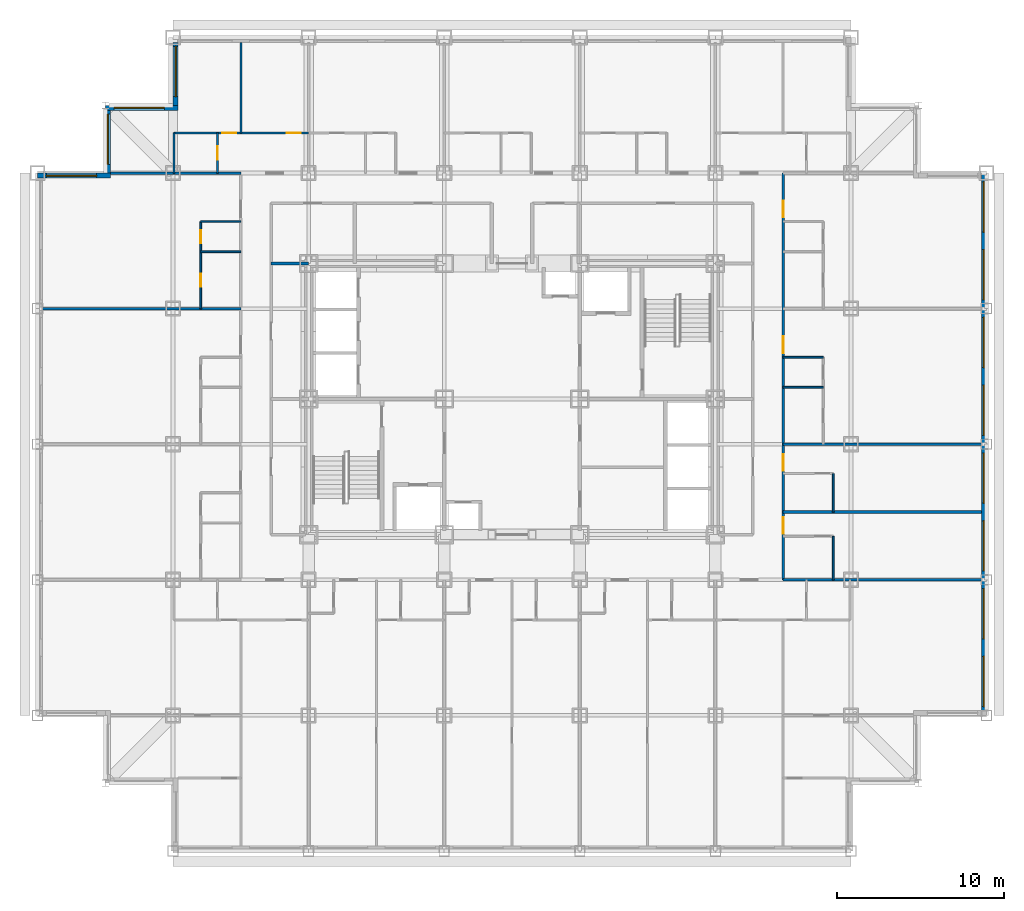
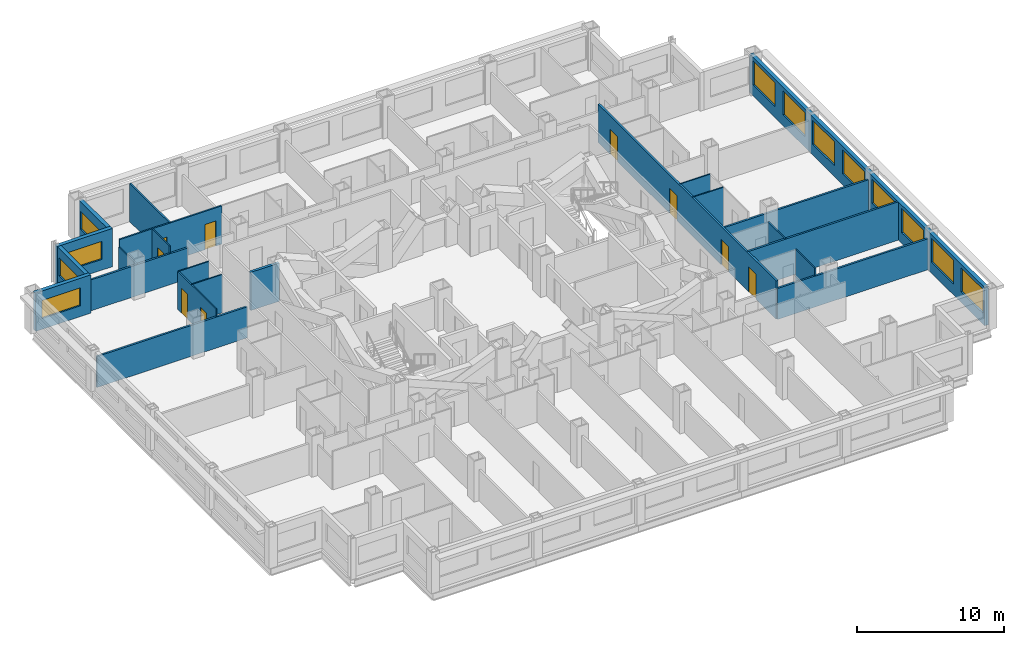
# One storey, part 8 of 12: 23 walls, 12 windows, 9 doors, 21 openings.
"""IFC4 building model written with IfcOpenShell, lengths in metres."""

from ifc_helpers import new_model, si_unit, direction, frame, frame_2d, origin, place, context, subcontext, project, spatial, rectangle, extrude, material, layer, layer_set, type_object, element, fill, save


model = new_model("IFC4")

# Units and contexts
model_context = context("Model", 3, precision=1e-05, world=origin(), true_north=direction((0.0, 1.0)))
body_context = subcontext(model_context, "Body", "Model", "MODEL_VIEW")
ifc_project = project(units=[si_unit("LENGTHUNIT", "METRE"), si_unit("AREAUNIT", "SQUARE_METRE"), si_unit("VOLUMEUNIT", "CUBIC_METRE"), si_unit("PLANEANGLEUNIT", "RADIAN"), si_unit("MASSUNIT", "GRAM", prefix="KILO")], contexts=[model_context])

# Site, building, storey
site_placement = place(None, origin())
site = spatial("IfcSite", under=ifc_project, at=site_placement, CompositionType="ELEMENT")
building_placement = place(site_placement, origin())
building = spatial("IfcBuilding", under=site, at=building_placement, Name="Kopane Lantern Tower", CompositionType="ELEMENT")
storey_placement = place(building_placement, frame((0.0, 0.0, 106.800048828125)))
storey = spatial("IfcBuildingStorey", under=building, at=storey_placement, Name="L26", CompositionType="ELEMENT", Elevation=106.800048828125)

# Wall, openings, doors
ifc_material_1 = material(Name="Gypsum board on steel studs", Category="steel")
ifc_layer_1 = layer(ifc_material_1, 0.1201171875)
ifc_layer_set_1 = layer_set([ifc_layer_1], Name="APARTMENT INTERNAL WALL 120")
wall_type_1 = type_object("IfcWallType", Name="APARTMENT INTERNAL WALL 120", PredefinedType="PARTITIONING", material=ifc_layer_set_1)
wall_1_placement = place(storey_placement, frame((8.14990234375, 48.300048828125, 0.0), z_axis=(0.0, 0.0, 1.0), x_axis=(1.0, 0.0, 0.0)))
wall_1 = element("IfcWall", 1, at=wall_1_placement, inside=storey, type_object=wall_type_1, Name="Apartment Internal Wall 120 L26", PredefinedType="PARTITIONING", context=body_context, shape_type="SweptSolid", body=[
    extrude(rectangle(XDim=8.050048828125, YDim=0.1201171875, at=frame_2d((4.02490234375, 0.0))), origin(), (0.0, 0.0, 1.0), 3.18994140625),
])
opening_1_placement = place(wall_1_placement, frame((6.72509765625, 0.0, 0.0)))
opening_1 = element("IfcOpeningElement", 2, at=opening_1_placement, cuts=wall_1, Name="Opening L26-064", PredefinedType="OPENING", context=body_context, shape_type="SweptSolid", body=[
    extrude(rectangle(XDim=0.85009765625, YDim=2.10009765625, at=frame_2d((0.425048828125, 1.050048828125))), frame((0.0, 0.070068359375, 0.0), z_axis=(0.0, -1.0, 0.0), x_axis=(1.0, 0.0, 0.0)), (0.0, 0.0, 1.0), 0.14013671875),
])
opening_2_placement = place(wall_1_placement, frame((2.875, 0.0, 0.0)))
opening_2 = element("IfcOpeningElement", 3, at=opening_2_placement, cuts=wall_1, Name="Opening L26-066", PredefinedType="OPENING", context=body_context, shape_type="SweptSolid", body=[
    extrude(rectangle(XDim=0.85009765625, YDim=2.10009765625, at=frame_2d((0.425048828125, 1.050048828125))), frame((0.0, 0.070068359375, 0.0), z_axis=(0.0, -1.0, 0.0), x_axis=(1.0, 0.0, 0.0)), (0.0, 0.0, 1.0), 0.14013671875),
])
ifc_material_2 = material(Name="Timber door set", Category="wood")
door_type_1 = type_object("IfcDoorType", Name="DOOR D4 850x2100", OperationType="SINGLE_SWING_LEFT", PredefinedType="DOOR", material=ifc_material_2)
door_1_placement = place(opening_1_placement, origin())
door_1 = element("IfcDoor", 4, at=door_1_placement, inside=storey, type_object=door_type_1, Name="Door L26-064", OperationType="SINGLE_SWING_LEFT", OverallHeight=2.10009765625, OverallWidth=0.85009765625, PredefinedType="DOOR", context=body_context, shape_type="SweptSolid", body=[
    extrude(rectangle(XDim=0.85009765625, YDim=2.10009765625, at=frame_2d((0.425048828125, 1.050048828125))), frame((0.0, 0.02490234375, 0.0), z_axis=(0.0, -1.0, 0.0), x_axis=(1.0, 0.0, 0.0)), (0.0, 0.0, 1.0), 0.050048828125),
])
fill(opening_1, door_1)
door_2_placement = place(opening_2_placement, origin())
door_2 = element("IfcDoor", 5, at=door_2_placement, inside=storey, type_object=door_type_1, Name="Door L26-066", OperationType="SINGLE_SWING_RIGHT", OverallHeight=2.10009765625, OverallWidth=0.85009765625, PredefinedType="DOOR", context=body_context, shape_type="SweptSolid", body=[
    extrude(rectangle(XDim=0.85009765625, YDim=2.10009765625, at=frame_2d((0.425048828125, 1.050048828125))), frame((0.0, 0.02490234375, 0.0), z_axis=(0.0, -1.0, 0.0), x_axis=(1.0, 0.0, 0.0)), (0.0, 0.0, 1.0), 0.050048828125),
])
fill(opening_2, door_2)

# Wall
wall_2_placement = place(storey_placement, frame((12.14990234375, 48.300048828125, 0.0), z_axis=(0.0, 0.0, 1.0), x_axis=(0.0, 1.0, 0.0)))
element("IfcWall", 6, at=wall_2_placement, inside=storey, type_object=wall_type_1, Name="Apartment Internal Wall 120 L26", PredefinedType="PARTITIONING", context=body_context, shape_type="SweptSolid", body=[
    extrude(rectangle(XDim=5.39990234375, YDim=0.1201171875, at=frame_2d((2.699951171875, 0.0))), origin(), (0.0, 0.0, 1.0), 3.18994140625),
])

# Wall, openings, doors
ifc_material_3 = material(Name="Moisture-resistant board on steel studs", Category="steel")
ifc_layer_2 = layer(ifc_material_3, 0.10009765625)
ifc_layer_set_2 = layer_set([ifc_layer_2], Name="BATHROOM WALL 100")
wall_type_2 = type_object("IfcWallType", Name="BATHROOM WALL 100", PredefinedType="PARTITIONING", material=ifc_layer_set_2)
wall_3_placement = place(storey_placement, frame((9.75, 37.800048828125, 0.0), z_axis=(0.0, 0.0, 1.0), x_axis=(0.0, 1.0, 0.0)))
wall_3 = element("IfcWall", 7, at=wall_3_placement, inside=storey, type_object=wall_type_2, Name="Bathroom Wall 100 L26", PredefinedType="PARTITIONING", context=body_context, shape_type="SweptSolid", body=[
    extrude(rectangle(XDim=5.199951171875, YDim=0.10009765625, at=frame_2d((2.60009765625, 0.0))), origin(), (0.0, 0.0, 1.0), 3.18994140625),
])
opening_3_placement = place(wall_3_placement, frame((1.300048828125, 0.0, 0.0)))
opening_3 = element("IfcOpeningElement", 8, at=opening_3_placement, cuts=wall_3, Name="Opening L26-036", PredefinedType="OPENING", context=body_context, shape_type="SweptSolid", body=[
    extrude(rectangle(XDim=0.800048828125, YDim=2.10009765625, at=frame_2d((0.39990234375, 1.050048828125))), frame((0.0, 0.06005859375, 0.0), z_axis=(0.0, -1.0, 0.0), x_axis=(1.0, 0.0, 0.0)), (0.0, 0.0, 1.0), 0.1201171875),
])
opening_4_placement = place(wall_3_placement, frame((3.89990234375, 0.0, 0.0)))
opening_4 = element("IfcOpeningElement", 9, at=opening_4_placement, cuts=wall_3, Name="Opening L26-037", PredefinedType="OPENING", context=body_context, shape_type="SweptSolid", body=[
    extrude(rectangle(XDim=0.800048828125, YDim=2.10009765625, at=frame_2d((0.39990234375, 1.050048828125))), frame((0.0, 0.06005859375, 0.0), z_axis=(0.0, -1.0, 0.0), x_axis=(1.0, 0.0, 0.0)), (0.0, 0.0, 1.0), 0.1201171875),
])
ifc_material_4 = material(Name="Timber door set", Category="wood")
door_type_2 = type_object("IfcDoorType", Name="DOOR D2 800x2100", OperationType="SINGLE_SWING_LEFT", PredefinedType="DOOR", material=ifc_material_4)
door_3_placement = place(opening_3_placement, origin())
door_3 = element("IfcDoor", 10, at=door_3_placement, inside=storey, type_object=door_type_2, Name="Door L26-036", OperationType="SINGLE_SWING_LEFT", OverallHeight=2.10009765625, OverallWidth=0.800048828125, PredefinedType="DOOR", context=body_context, shape_type="SweptSolid", body=[
    extrude(rectangle(XDim=0.800048828125, YDim=2.10009765625, at=frame_2d((0.39990234375, 1.050048828125))), frame((0.0, 0.02490234375, 0.0), z_axis=(0.0, -1.0, 0.0), x_axis=(1.0, 0.0, 0.0)), (0.0, 0.0, 1.0), 0.050048828125),
])
fill(opening_3, door_3)
door_4_placement = place(opening_4_placement, origin())
door_4 = element("IfcDoor", 11, at=door_4_placement, inside=storey, type_object=door_type_2, Name="Door L26-037", OperationType="SINGLE_SWING_LEFT", OverallHeight=2.10009765625, OverallWidth=0.800048828125, PredefinedType="DOOR", context=body_context, shape_type="SweptSolid", body=[
    extrude(rectangle(XDim=0.800048828125, YDim=2.10009765625, at=frame_2d((0.39990234375, 1.050048828125))), frame((0.0, 0.02490234375, 0.0), z_axis=(0.0, -1.0, 0.0), x_axis=(1.0, 0.0, 0.0)), (0.0, 0.0, 1.0), 0.050048828125),
])
fill(opening_4, door_4)

# Walls
for number, where, z_axis, x_axis, name in (
    (12, (12.14990234375, 41.199951171875, 0.0), (0.0, 0.0, 1.0), (-1.0, 0.0, 0.0), "Bathroom Wall 100 L26"),
    (13, (12.14990234375, 43.0, 0.0), (0.0, 0.0, 1.0), (-1.0, 0.0, 0.0), "Bathroom Wall 100 L26"),
):
    element("IfcWall", number, at=place(storey_placement, frame(where, z_axis=z_axis, x_axis=x_axis)), inside=storey, type_object=wall_type_2, Name=name, PredefinedType="PARTITIONING", context=body_context, shape_type="SweptSolid", body=[
        extrude(rectangle(XDim=2.39990234375, YDim=0.10009765625, at=frame_2d((1.199951171875, 0.0))), origin(), (0.0, 0.0, 1.0), 3.18994140625),
    ])
wall_4_placement = place(storey_placement, frame((47.550048828125, 21.60009765625, 0.0), z_axis=(0.0, 0.0, 1.0), x_axis=(0.0, 1.0, 0.0)))
element("IfcWall", 14, at=wall_4_placement, inside=storey, type_object=wall_type_2, Name="Bathroom Wall 100 L26", PredefinedType="PARTITIONING", context=body_context, shape_type="SweptSolid", body=[
    extrude(rectangle(XDim=2.599853515625, YDim=0.10009765625, at=frame_2d((1.2998046875, 0.0))), origin(), (0.0, 0.0, 1.0), 3.18994140625),
])
wall_5_placement = place(storey_placement, frame((47.550048828125, 25.64990234375, 0.0), z_axis=(0.0, 0.0, 1.0), x_axis=(0.0, 1.0, 0.0)))
element("IfcWall", 15, at=wall_5_placement, inside=storey, type_object=wall_type_2, Name="Bathroom Wall 100 L26", PredefinedType="PARTITIONING", context=body_context, shape_type="SweptSolid", body=[
    extrude(rectangle(XDim=2.300048828125, YDim=0.10009765625, at=frame_2d((1.14990234375, 0.0))), origin(), (0.0, 0.0, 1.0), 3.18994140625),
])
for number, where, z_axis, x_axis, name in (
    (16, (44.550048828125, 33.10009765625, 0.0), (0.0, 0.0, 1.0), (1.0, 0.0, 0.0), "Bathroom Wall 100 L26"),
    (17, (44.550048828125, 34.89990234375, 0.0), (0.0, 0.0, 1.0), (1.0, 0.0, 0.0), "Bathroom Wall 100 L26"),
):
    element("IfcWall", number, at=place(storey_placement, frame(where, z_axis=z_axis, x_axis=x_axis)), inside=storey, type_object=wall_type_2, Name=name, PredefinedType="PARTITIONING", context=body_context, shape_type="SweptSolid", body=[
        extrude(rectangle(XDim=2.39990234375, YDim=0.10009765625, at=frame_2d((1.199951171875, 0.0))), origin(), (0.0, 0.0, 1.0), 3.18994140625),
    ])

# Wall, opening, door
wall_6_placement = place(storey_placement, frame((10.75, 45.89990234375, 0.0), z_axis=(0.0, 0.0, 1.0), x_axis=(0.0, 1.0, 0.0)))
wall_6 = element("IfcWall", 18, at=wall_6_placement, inside=storey, type_object=wall_type_2, Name="Bathroom Wall 100 L26", PredefinedType="PARTITIONING", context=body_context, shape_type="SweptSolid", body=[
    extrude(rectangle(XDim=2.400146484375, YDim=0.10009765625, at=frame_2d((1.2001953125, 0.0))), origin(), (0.0, 0.0, 1.0), 3.18994140625),
])
opening_5_placement = place(wall_6_placement, frame((0.800048828125, 0.0, 0.0)))
opening_5 = element("IfcOpeningElement", 19, at=opening_5_placement, cuts=wall_6, Name="Opening L26-065", PredefinedType="OPENING", context=body_context, shape_type="SweptSolid", body=[
    extrude(rectangle(XDim=0.800048828125, YDim=2.10009765625, at=frame_2d((0.39990234375, 1.050048828125))), frame((0.0, 0.06005859375, 0.0), z_axis=(0.0, -1.0, 0.0), x_axis=(1.0, 0.0, 0.0)), (0.0, 0.0, 1.0), 0.1201171875),
])
door_5_placement = place(opening_5_placement, origin())
door_5 = element("IfcDoor", 20, at=door_5_placement, inside=storey, type_object=door_type_2, Name="Door L26-065", OperationType="SINGLE_SWING_LEFT", OverallHeight=2.10009765625, OverallWidth=0.800048828125, PredefinedType="DOOR", context=body_context, shape_type="SweptSolid", body=[
    extrude(rectangle(XDim=0.800048828125, YDim=2.10009765625, at=frame_2d((0.39990234375, 1.050048828125))), frame((0.0, 0.02490234375, 0.0), z_axis=(0.0, -1.0, 0.0), x_axis=(1.0, 0.0, 0.0)), (0.0, 0.0, 1.0), 0.050048828125),
])
fill(opening_5, door_5)

# Wall
wall_7_placement = place(storey_placement, frame((8.14990234375, 45.89990234375, 0.0), z_axis=(0.0, 0.0, 1.0), x_axis=(0.0, 1.0, 0.0)))
element("IfcWall", 21, at=wall_7_placement, inside=storey, type_object=wall_type_2, Name="Bathroom Wall 100 L26", PredefinedType="PARTITIONING", context=body_context, shape_type="SweptSolid", body=[
    extrude(rectangle(XDim=2.400146484375, YDim=0.10009765625, at=frame_2d((1.2001953125, 0.0))), origin(), (0.0, 0.0, 1.0), 2.57763671875),
])

# Wall, openings, doors
ifc_material_5 = material(Name="Gypsum board on steel studs", Category="steel")
ifc_layer_3 = layer(ifc_material_5, 0.14990234375)
ifc_layer_set_3 = layer_set([ifc_layer_3], Name="CORRIDOR WALL 150 EI 60")
wall_type_3 = type_object("IfcWallType", Name="CORRIDOR WALL 150 EI 60", PredefinedType="PARTITIONING", material=ifc_layer_set_3)
wall_8_placement = place(storey_placement, frame((44.550048828125, 21.60009765625, 0.0), z_axis=(0.0, 0.0, 1.0), x_axis=(0.0, 1.0, 0.0)))
wall_8 = element("IfcWall", 22, at=wall_8_placement, inside=storey, type_object=wall_type_3, Name="Corridor Wall 150 Ei 60 L26", PredefinedType="PARTITIONING", context=body_context, shape_type="SweptSolid", body=[
    extrude(rectangle(XDim=24.2998046875, YDim=0.14990234375, at=frame_2d((12.14990234375, 0.0))), origin(), (0.0, 0.0, 1.0), 3.18994140625),
])
opening_6_placement = place(wall_8_placement, frame((2.75, 0.0, 0.0)))
opening_6 = element("IfcOpeningElement", 23, at=opening_6_placement, cuts=wall_8, Name="Opening L26-040", PredefinedType="OPENING", context=body_context, shape_type="SweptSolid", body=[
    extrude(rectangle(XDim=1.0, YDim=2.10009765625, at=frame_2d((0.5, 1.050048828125))), frame((0.0, 0.0849609375, 0.0), z_axis=(0.0, -1.0, 0.0), x_axis=(1.0, 0.0, 0.0)), (0.0, 0.0, 1.0), 0.169921875),
])
opening_7_placement = place(wall_8_placement, frame((6.5, 0.0, 0.0)))
opening_7 = element("IfcOpeningElement", 24, at=opening_7_placement, cuts=wall_8, Name="Opening L26-042", PredefinedType="OPENING", context=body_context, shape_type="SweptSolid", body=[
    extrude(rectangle(XDim=1.0, YDim=2.10009765625, at=frame_2d((0.5, 1.050048828125))), frame((0.0, 0.0849609375, 0.0), z_axis=(0.0, -1.0, 0.0), x_axis=(1.0, 0.0, 0.0)), (0.0, 0.0, 1.0), 0.169921875),
])
opening_8_placement = place(wall_8_placement, frame((13.550048828125, 0.0, 0.0)))
opening_8 = element("IfcOpeningElement", 25, at=opening_8_placement, cuts=wall_8, Name="Opening L26-045", PredefinedType="OPENING", context=body_context, shape_type="SweptSolid", body=[
    extrude(rectangle(XDim=1.0, YDim=2.10009765625, at=frame_2d((0.5, 1.050048828125))), frame((0.0, 0.0849609375, 0.0), z_axis=(0.0, -1.0, 0.0), x_axis=(1.0, 0.0, 0.0)), (0.0, 0.0, 1.0), 0.169921875),
])
opening_9_placement = place(wall_8_placement, frame((21.64990234375, 0.0, 0.0)))
opening_9 = element("IfcOpeningElement", 26, at=opening_9_placement, cuts=wall_8, Name="Opening L26-048", PredefinedType="OPENING", context=body_context, shape_type="SweptSolid", body=[
    extrude(rectangle(XDim=1.0, YDim=2.10009765625, at=frame_2d((0.5, 1.050048828125))), frame((0.0, 0.0849609375, 0.0), z_axis=(0.0, -1.0, 0.0), x_axis=(1.0, 0.0, 0.0)), (0.0, 0.0, 1.0), 0.169921875),
])
ifc_material_6 = material(Name="Steel door set", Category="steel")
door_type_3 = type_object("IfcDoorType", Name="DOOR D1 1000x2100 FD30S", OperationType="SINGLE_SWING_LEFT", PredefinedType="DOOR", material=ifc_material_6)
door_6_placement = place(opening_6_placement, origin())
door_6 = element("IfcDoor", 27, at=door_6_placement, inside=storey, type_object=door_type_3, Name="Door L26-040", OperationType="SINGLE_SWING_RIGHT", OverallHeight=2.10009765625, OverallWidth=1.0, PredefinedType="DOOR", context=body_context, shape_type="SweptSolid", body=[
    extrude(rectangle(XDim=1.0, YDim=2.10009765625, at=frame_2d((0.5, 1.050048828125))), frame((0.0, 0.02490234375, 0.0), z_axis=(0.0, -1.0, 0.0), x_axis=(1.0, 0.0, 0.0)), (0.0, 0.0, 1.0), 0.050048828125),
])
fill(opening_6, door_6)
door_7_placement = place(opening_7_placement, origin())
door_7 = element("IfcDoor", 28, at=door_7_placement, inside=storey, type_object=door_type_3, Name="Door L26-042", OperationType="SINGLE_SWING_RIGHT", OverallHeight=2.10009765625, OverallWidth=1.0, PredefinedType="DOOR", context=body_context, shape_type="SweptSolid", body=[
    extrude(rectangle(XDim=1.0, YDim=2.10009765625, at=frame_2d((0.5, 1.050048828125))), frame((0.0, 0.02490234375, 0.0), z_axis=(0.0, -1.0, 0.0), x_axis=(1.0, 0.0, 0.0)), (0.0, 0.0, 1.0), 0.050048828125),
])
fill(opening_7, door_7)
door_8_placement = place(opening_8_placement, origin())
door_8 = element("IfcDoor", 29, at=door_8_placement, inside=storey, type_object=door_type_3, Name="Door L26-045", OperationType="SINGLE_SWING_RIGHT", OverallHeight=2.10009765625, OverallWidth=1.0, PredefinedType="DOOR", context=body_context, shape_type="SweptSolid", body=[
    extrude(rectangle(XDim=1.0, YDim=2.10009765625, at=frame_2d((0.5, 1.050048828125))), frame((0.0, 0.02490234375, 0.0), z_axis=(0.0, -1.0, 0.0), x_axis=(1.0, 0.0, 0.0)), (0.0, 0.0, 1.0), 0.050048828125),
])
fill(opening_8, door_8)
door_9_placement = place(opening_9_placement, origin())
door_9 = element("IfcDoor", 30, at=door_9_placement, inside=storey, type_object=door_type_3, Name="Door L26-048", OperationType="SINGLE_SWING_RIGHT", OverallHeight=2.10009765625, OverallWidth=1.0, PredefinedType="DOOR", context=body_context, shape_type="SweptSolid", body=[
    extrude(rectangle(XDim=1.0, YDim=2.10009765625, at=frame_2d((0.5, 1.050048828125))), frame((0.0, 0.02490234375, 0.0), z_axis=(0.0, -1.0, 0.0), x_axis=(1.0, 0.0, 0.0)), (0.0, 0.0, 1.0), 0.050048828125),
])
fill(opening_9, door_9)

# Walls
ifc_material_7 = material(Name="Gypsum board on steel studs", Category="steel")
ifc_layer_4 = layer(ifc_material_7, 0.14990234375)
ifc_layer_set_4 = layer_set([ifc_layer_4], Name="DEMISING WALL 150 EI 60")
wall_type_4 = type_object("IfcWallType", Name="DEMISING WALL 150 EI 60", PredefinedType="PARTITIONING", material=ifc_layer_set_4)
wall_9_placement = place(storey_placement, frame((12.14990234375, 37.800048828125, 0.0), z_axis=(0.0, 0.0, 1.0), x_axis=(-1.0, 0.0, 0.0)))
element("IfcWall", 31, at=wall_9_placement, inside=storey, type_object=wall_type_4, Name="Demising Wall 150 Ei 60 L26", PredefinedType="PARTITIONING", context=body_context, shape_type="SweptSolid", body=[
    extrude(rectangle(XDim=11.849853515625, YDim=0.14990234375, at=frame_2d((5.9248046875, 0.0))), origin(), (0.0, 0.0, 1.0), 2.57763671875),
])
wall_10_placement = place(storey_placement, frame((44.550048828125, 25.64990234375, 0.0), z_axis=(0.0, 0.0, 1.0), x_axis=(1.0, 0.0, 0.0)))
element("IfcWall", 32, at=wall_10_placement, inside=storey, type_object=wall_type_4, Name="Demising Wall 150 Ei 60 L26", PredefinedType="PARTITIONING", context=body_context, shape_type="SweptSolid", body=[
    extrude(rectangle(XDim=11.849853515625, YDim=0.14990234375, at=frame_2d((5.9248046875, 0.0))), origin(), (0.0, 0.0, 1.0), 3.18994140625),
])
for number, where, z_axis, x_axis, name in (
    (33, (44.550048828125, 29.699951171875, 0.0), (0.0, 0.0, 1.0), (1.0, 0.0, 0.0), "Demising Wall 150 Ei 60 L26"),
    (34, (44.550048828125, 21.60009765625, 0.0), (0.0, 0.0, 1.0), (1.0, 0.0, 0.0), "Demising Wall 150 Ei 60 L26"),
):
    element("IfcWall", number, at=place(storey_placement, frame(where, z_axis=z_axis, x_axis=x_axis)), inside=storey, type_object=wall_type_4, Name=name, PredefinedType="PARTITIONING", context=body_context, shape_type="SweptSolid", body=[
        extrude(rectangle(XDim=11.849853515625, YDim=0.14990234375, at=frame_2d((5.9248046875, 0.0))), origin(), (0.0, 0.0, 1.0), 2.57763671875),
    ])
wall_11_placement = place(storey_placement, frame((4.35009765625, 45.89990234375, 0.0), z_axis=(0.0, 0.0, 1.0), x_axis=(1.0, 0.0, 0.0)))
element("IfcWall", 35, at=wall_11_placement, inside=storey, type_object=wall_type_4, Name="Demising Wall 150 Ei 60 L26", PredefinedType="PARTITIONING", context=body_context, shape_type="SweptSolid", body=[
    extrude(rectangle(XDim=7.7998046875, YDim=0.14990234375, at=frame_2d((3.89990234375, 0.0))), origin(), (0.0, 0.0, 1.0), 2.57763671875),
])

# Wall, openings, windows
ifc_material_8 = material(Name="Terracotta rainscreen on light steel framing", Category="masonry")
ifc_layer_5 = layer(ifc_material_8, 0.300048828125)
ifc_layer_set_5 = layer_set([ifc_layer_5], Name="EXTERNAL WALL EW1 300 TERRACOTTA")
wall_type_5 = type_object("IfcWallType", Name="EXTERNAL WALL EW1 300 TERRACOTTA", PredefinedType="SOLIDWALL", material=ifc_layer_set_5)
wall_12_placement = place(storey_placement, frame((56.550048828125, 13.800048828125, 0.0), z_axis=(0.0, 0.0, 1.0), x_axis=(0.0, 1.0, 0.0)))
wall_12 = element("IfcWall", 36, at=wall_12_placement, inside=storey, type_object=wall_type_5, Name="External wall E L26", PredefinedType="SOLIDWALL", context=body_context, shape_type="SweptSolid", body=[
    extrude(rectangle(XDim=32.099853515625, YDim=0.300048828125, at=frame_2d((16.0498046875, 0.0))), origin(), (0.0, 0.0, 1.0), 3.18994140625),
])
opening_10_placement = place(wall_12_placement, frame((0.22509765625, 0.0, 0.89990234375)))
opening_10 = element("IfcOpeningElement", 37, at=opening_10_placement, cuts=wall_12, Name="Opening WR300200", PredefinedType="OPENING", context=body_context, shape_type="SweptSolid", body=[
    extrude(rectangle(XDim=3.0, YDim=2.0, at=frame_2d((1.5, 1.0))), frame((0.0, 0.159912109375, 0.0), z_axis=(0.0, -1.0, 0.0), x_axis=(1.0, 0.0, 0.0)), (0.0, 0.0, 1.0), 0.320068359375),
])
opening_11_placement = place(wall_12_placement, frame((4.27490234375, 0.0, 0.89990234375)))
opening_11 = element("IfcOpeningElement", 38, at=opening_11_placement, cuts=wall_12, Name="Opening WR300200", PredefinedType="OPENING", context=body_context, shape_type="SweptSolid", body=[
    extrude(rectangle(XDim=3.0, YDim=2.0, at=frame_2d((1.5, 1.0))), frame((0.0, 0.159912109375, 0.0), z_axis=(0.0, -1.0, 0.0), x_axis=(1.0, 0.0, 0.0)), (0.0, 0.0, 1.0), 0.320068359375),
])
opening_12_placement = place(wall_12_placement, frame((8.324951171875, 0.0, 0.89990234375)))
opening_12 = element("IfcOpeningElement", 39, at=opening_12_placement, cuts=wall_12, Name="Opening WR300200", PredefinedType="OPENING", context=body_context, shape_type="SweptSolid", body=[
    extrude(rectangle(XDim=3.0, YDim=2.0, at=frame_2d((1.5, 1.0))), frame((0.0, 0.159912109375, 0.0), z_axis=(0.0, -1.0, 0.0), x_axis=(1.0, 0.0, 0.0)), (0.0, 0.0, 1.0), 0.320068359375),
])
opening_13_placement = place(wall_12_placement, frame((12.375, 0.0, 0.89990234375)))
opening_13 = element("IfcOpeningElement", 40, at=opening_13_placement, cuts=wall_12, Name="Opening WR300200", PredefinedType="OPENING", context=body_context, shape_type="SweptSolid", body=[
    extrude(rectangle(XDim=3.0, YDim=2.0, at=frame_2d((1.5, 1.0))), frame((0.0, 0.159912109375, 0.0), z_axis=(0.0, -1.0, 0.0), x_axis=(1.0, 0.0, 0.0)), (0.0, 0.0, 1.0), 0.320068359375),
])
opening_14_placement = place(wall_12_placement, frame((16.425048828125, 0.0, 0.89990234375)))
opening_14 = element("IfcOpeningElement", 41, at=opening_14_placement, cuts=wall_12, Name="Opening WR300200", PredefinedType="OPENING", context=body_context, shape_type="SweptSolid", body=[
    extrude(rectangle(XDim=3.0, YDim=2.0, at=frame_2d((1.5, 1.0))), frame((0.0, 0.159912109375, 0.0), z_axis=(0.0, -1.0, 0.0), x_axis=(1.0, 0.0, 0.0)), (0.0, 0.0, 1.0), 0.320068359375),
])
opening_15_placement = place(wall_12_placement, frame((20.47509765625, 0.0, 0.89990234375)))
opening_15 = element("IfcOpeningElement", 42, at=opening_15_placement, cuts=wall_12, Name="Opening WR300200", PredefinedType="OPENING", context=body_context, shape_type="SweptSolid", body=[
    extrude(rectangle(XDim=3.0, YDim=2.0, at=frame_2d((1.5, 1.0))), frame((0.0, 0.159912109375, 0.0), z_axis=(0.0, -1.0, 0.0), x_axis=(1.0, 0.0, 0.0)), (0.0, 0.0, 1.0), 0.320068359375),
])
opening_16_placement = place(wall_12_placement, frame((24.52490234375, 0.0, 0.89990234375)))
opening_16 = element("IfcOpeningElement", 43, at=opening_16_placement, cuts=wall_12, Name="Opening WR300200", PredefinedType="OPENING", context=body_context, shape_type="SweptSolid", body=[
    extrude(rectangle(XDim=3.0, YDim=2.0, at=frame_2d((1.5, 1.0))), frame((0.0, 0.159912109375, 0.0), z_axis=(0.0, -1.0, 0.0), x_axis=(1.0, 0.0, 0.0)), (0.0, 0.0, 1.0), 0.320068359375),
])
opening_17_placement = place(wall_12_placement, frame((28.574951171875, 0.0, 0.89990234375)))
opening_17 = element("IfcOpeningElement", 44, at=opening_17_placement, cuts=wall_12, Name="Opening WR300200", PredefinedType="OPENING", context=body_context, shape_type="SweptSolid", body=[
    extrude(rectangle(XDim=3.0, YDim=2.0, at=frame_2d((1.5, 1.0))), frame((0.0, 0.159912109375, 0.0), z_axis=(0.0, -1.0, 0.0), x_axis=(1.0, 0.0, 0.0)), (0.0, 0.0, 1.0), 0.320068359375),
])
ifc_material_9 = material(Name="Aluminium and clear glass", Category="aluminium")
window_type_1 = type_object("IfcWindowType", Name="RIBBON WINDOW WR300200 3000x2000", PartitioningType="SINGLE_PANEL", PredefinedType="WINDOW", material=ifc_material_9)
window_1_placement = place(opening_10_placement, origin())
window_1 = element("IfcWindow", 45, at=window_1_placement, inside=storey, type_object=window_type_1, Name="Window E L26", OverallHeight=2.0, OverallWidth=3.0, PartitioningType="SINGLE_PANEL", PredefinedType="WINDOW", context=body_context, shape_type="SweptSolid", body=[
    extrude(rectangle(XDim=3.0, YDim=2.0, at=frame_2d((1.5, 1.0))), frame((0.0, 0.030029296875, 0.0), z_axis=(0.0, -1.0, 0.0), x_axis=(1.0, 0.0, 0.0)), (0.0, 0.0, 1.0), 0.06005859375),
])
fill(opening_10, window_1)
window_2_placement = place(opening_11_placement, origin())
window_2 = element("IfcWindow", 46, at=window_2_placement, inside=storey, type_object=window_type_1, Name="Window E L26", OverallHeight=2.0, OverallWidth=3.0, PartitioningType="SINGLE_PANEL", PredefinedType="WINDOW", context=body_context, shape_type="SweptSolid", body=[
    extrude(rectangle(XDim=3.0, YDim=2.0, at=frame_2d((1.5, 1.0))), frame((0.0, 0.030029296875, 0.0), z_axis=(0.0, -1.0, 0.0), x_axis=(1.0, 0.0, 0.0)), (0.0, 0.0, 1.0), 0.06005859375),
])
fill(opening_11, window_2)
window_3_placement = place(opening_12_placement, origin())
window_3 = element("IfcWindow", 47, at=window_3_placement, inside=storey, type_object=window_type_1, Name="Window E L26", OverallHeight=2.0, OverallWidth=3.0, PartitioningType="SINGLE_PANEL", PredefinedType="WINDOW", context=body_context, shape_type="SweptSolid", body=[
    extrude(rectangle(XDim=3.0, YDim=2.0, at=frame_2d((1.5, 1.0))), frame((0.0, 0.030029296875, 0.0), z_axis=(0.0, -1.0, 0.0), x_axis=(1.0, 0.0, 0.0)), (0.0, 0.0, 1.0), 0.06005859375),
])
fill(opening_12, window_3)
window_4_placement = place(opening_13_placement, origin())
window_4 = element("IfcWindow", 48, at=window_4_placement, inside=storey, type_object=window_type_1, Name="Window E L26", OverallHeight=2.0, OverallWidth=3.0, PartitioningType="SINGLE_PANEL", PredefinedType="WINDOW", context=body_context, shape_type="SweptSolid", body=[
    extrude(rectangle(XDim=3.0, YDim=2.0, at=frame_2d((1.5, 1.0))), frame((0.0, 0.030029296875, 0.0), z_axis=(0.0, -1.0, 0.0), x_axis=(1.0, 0.0, 0.0)), (0.0, 0.0, 1.0), 0.06005859375),
])
fill(opening_13, window_4)
window_5_placement = place(opening_14_placement, origin())
window_5 = element("IfcWindow", 49, at=window_5_placement, inside=storey, type_object=window_type_1, Name="Window E L26", OverallHeight=2.0, OverallWidth=3.0, PartitioningType="SINGLE_PANEL", PredefinedType="WINDOW", context=body_context, shape_type="SweptSolid", body=[
    extrude(rectangle(XDim=3.0, YDim=2.0, at=frame_2d((1.5, 1.0))), frame((0.0, 0.030029296875, 0.0), z_axis=(0.0, -1.0, 0.0), x_axis=(1.0, 0.0, 0.0)), (0.0, 0.0, 1.0), 0.06005859375),
])
fill(opening_14, window_5)
window_6_placement = place(opening_15_placement, origin())
window_6 = element("IfcWindow", 50, at=window_6_placement, inside=storey, type_object=window_type_1, Name="Window E L26", OverallHeight=2.0, OverallWidth=3.0, PartitioningType="SINGLE_PANEL", PredefinedType="WINDOW", context=body_context, shape_type="SweptSolid", body=[
    extrude(rectangle(XDim=3.0, YDim=2.0, at=frame_2d((1.5, 1.0))), frame((0.0, 0.030029296875, 0.0), z_axis=(0.0, -1.0, 0.0), x_axis=(1.0, 0.0, 0.0)), (0.0, 0.0, 1.0), 0.06005859375),
])
fill(opening_15, window_6)
window_7_placement = place(opening_16_placement, origin())
window_7 = element("IfcWindow", 51, at=window_7_placement, inside=storey, type_object=window_type_1, Name="Window E L26", OverallHeight=2.0, OverallWidth=3.0, PartitioningType="SINGLE_PANEL", PredefinedType="WINDOW", context=body_context, shape_type="SweptSolid", body=[
    extrude(rectangle(XDim=3.0, YDim=2.0, at=frame_2d((1.5, 1.0))), frame((0.0, 0.030029296875, 0.0), z_axis=(0.0, -1.0, 0.0), x_axis=(1.0, 0.0, 0.0)), (0.0, 0.0, 1.0), 0.06005859375),
])
fill(opening_16, window_7)
window_8_placement = place(opening_17_placement, origin())
window_8 = element("IfcWindow", 52, at=window_8_placement, inside=storey, type_object=window_type_1, Name="Window E L26", OverallHeight=2.0, OverallWidth=3.0, PartitioningType="SINGLE_PANEL", PredefinedType="WINDOW", context=body_context, shape_type="SweptSolid", body=[
    extrude(rectangle(XDim=3.0, YDim=2.0, at=frame_2d((1.5, 1.0))), frame((0.0, 0.030029296875, 0.0), z_axis=(0.0, -1.0, 0.0), x_axis=(1.0, 0.0, 0.0)), (0.0, 0.0, 1.0), 0.06005859375),
])
fill(opening_17, window_8)

# Wall, opening, window
wall_13_placement = place(storey_placement, frame((8.25, 53.699951171875, 0.0), z_axis=(0.0, 0.0, 1.0), x_axis=(0.0, -1.0, 0.0)))
wall_13 = element("IfcWall", 53, at=wall_13_placement, inside=storey, type_object=wall_type_5, Name="External wall W L26", PredefinedType="SOLIDWALL", context=body_context, shape_type="SweptSolid", body=[
    extrude(rectangle(XDim=3.75, YDim=0.300048828125, at=frame_2d((1.875, 0.0))), origin(), (0.0, 0.0, 1.0), 3.18994140625),
])
opening_18_placement = place(wall_13_placement, frame((0.22509765625, 0.0, 0.89990234375)))
opening_18 = element("IfcOpeningElement", 54, at=opening_18_placement, cuts=wall_13, Name="Opening WR300150", PredefinedType="OPENING", context=body_context, shape_type="SweptSolid", body=[
    extrude(rectangle(XDim=3.0, YDim=1.5, at=frame_2d((1.5, 0.75))), frame((0.0, 0.159912109375, 0.0), z_axis=(0.0, -1.0, 0.0), x_axis=(1.0, 0.0, 0.0)), (0.0, 0.0, 1.0), 0.320068359375),
])
ifc_material_10 = material(Name="Aluminium and clear glass", Category="aluminium")
window_type_2 = type_object("IfcWindowType", Name="RIBBON WINDOW WR300150 3000x1500", PartitioningType="SINGLE_PANEL", PredefinedType="WINDOW", material=ifc_material_10)
window_9_placement = place(opening_18_placement, origin())
window_9 = element("IfcWindow", 55, at=window_9_placement, inside=storey, type_object=window_type_2, Name="Window W L26", OverallHeight=1.5, OverallWidth=3.0, PartitioningType="SINGLE_PANEL", PredefinedType="WINDOW", context=body_context, shape_type="SweptSolid", body=[
    extrude(rectangle(XDim=3.0, YDim=1.5, at=frame_2d((1.5, 0.75))), frame((0.0, 0.030029296875, 0.0), z_axis=(0.0, -1.0, 0.0), x_axis=(1.0, 0.0, 0.0)), (0.0, 0.0, 1.0), 0.06005859375),
])
fill(opening_18, window_9)

wall_14_placement = place(storey_placement, frame((8.39990234375, 49.800048828125, 0.0), z_axis=(0.0, 0.0, 1.0), x_axis=(-1.0, 0.0, 0.0)))
wall_14 = element("IfcWall", 56, at=wall_14_placement, inside=storey, type_object=wall_type_5, Name="External wall N L26", PredefinedType="SOLIDWALL", context=body_context, shape_type="SweptSolid", body=[
    extrude(rectangle(XDim=4.349853515625, YDim=0.300048828125, at=frame_2d((2.1748046875, 0.0))), origin(), (0.0, 0.0, 1.0), 3.18994140625),
])
opening_19_placement = place(wall_14_placement, frame((0.824951171875, 0.0, 0.89990234375)))
opening_19 = element("IfcOpeningElement", 57, at=opening_19_placement, cuts=wall_14, Name="Opening WR300150", PredefinedType="OPENING", context=body_context, shape_type="SweptSolid", body=[
    extrude(rectangle(XDim=3.0, YDim=1.5, at=frame_2d((1.5, 0.75))), frame((0.0, 0.159912109375, 0.0), z_axis=(0.0, -1.0, 0.0), x_axis=(1.0, 0.0, 0.0)), (0.0, 0.0, 1.0), 0.320068359375),
])
window_10_placement = place(opening_19_placement, origin())
window_10 = element("IfcWindow", 58, at=window_10_placement, inside=storey, type_object=window_type_2, Name="Window N L26", OverallHeight=1.5, OverallWidth=3.0, PartitioningType="SINGLE_PANEL", PredefinedType="WINDOW", context=body_context, shape_type="SweptSolid", body=[
    extrude(rectangle(XDim=3.0, YDim=1.5, at=frame_2d((1.5, 0.75))), frame((0.0, 0.030029296875, 0.0), z_axis=(0.0, -1.0, 0.0), x_axis=(1.0, 0.0, 0.0)), (0.0, 0.0, 1.0), 0.06005859375),
])
fill(opening_19, window_10)

wall_15_placement = place(storey_placement, frame((4.199951171875, 49.64990234375, 0.0), z_axis=(0.0, 0.0, 1.0), x_axis=(0.0, -1.0, 0.0)))
wall_15 = element("IfcWall", 59, at=wall_15_placement, inside=storey, type_object=wall_type_5, Name="External wall W L26", PredefinedType="SOLIDWALL", context=body_context, shape_type="SweptSolid", body=[
    extrude(rectangle(XDim=3.75, YDim=0.300048828125, at=frame_2d((1.875, 0.0))), origin(), (0.0, 0.0, 1.0), 3.18994140625),
])
opening_20_placement = place(wall_15_placement, frame((0.22509765625, 0.0, 0.89990234375)))
opening_20 = element("IfcOpeningElement", 60, at=opening_20_placement, cuts=wall_15, Name="Opening WR300150", PredefinedType="OPENING", context=body_context, shape_type="SweptSolid", body=[
    extrude(rectangle(XDim=3.0, YDim=1.5, at=frame_2d((1.5, 0.75))), frame((0.0, 0.159912109375, 0.0), z_axis=(0.0, -1.0, 0.0), x_axis=(1.0, 0.0, 0.0)), (0.0, 0.0, 1.0), 0.320068359375),
])
window_11_placement = place(opening_20_placement, origin())
window_11 = element("IfcWindow", 61, at=window_11_placement, inside=storey, type_object=window_type_2, Name="Window W L26", OverallHeight=1.5, OverallWidth=3.0, PartitioningType="SINGLE_PANEL", PredefinedType="WINDOW", context=body_context, shape_type="SweptSolid", body=[
    extrude(rectangle(XDim=3.0, YDim=1.5, at=frame_2d((1.5, 0.75))), frame((0.0, 0.030029296875, 0.0), z_axis=(0.0, -1.0, 0.0), x_axis=(1.0, 0.0, 0.0)), (0.0, 0.0, 1.0), 0.06005859375),
])
fill(opening_20, window_11)

wall_16_placement = place(storey_placement, frame((4.35009765625, 45.75, 0.0), z_axis=(0.0, 0.0, 1.0), x_axis=(-1.0, 0.0, 0.0)))
wall_16 = element("IfcWall", 62, at=wall_16_placement, inside=storey, type_object=wall_type_5, Name="External wall N L26", PredefinedType="SOLIDWALL", context=body_context, shape_type="SweptSolid", body=[
    extrude(rectangle(XDim=4.35009765625, YDim=0.300048828125, at=frame_2d((2.175048828125, 0.0))), origin(), (0.0, 0.0, 1.0), 3.18994140625),
])
opening_21_placement = place(wall_16_placement, frame((0.824951171875, 0.0, 0.89990234375)))
opening_21 = element("IfcOpeningElement", 63, at=opening_21_placement, cuts=wall_16, Name="Opening WR300150", PredefinedType="OPENING", context=body_context, shape_type="SweptSolid", body=[
    extrude(rectangle(XDim=3.0, YDim=1.5, at=frame_2d((1.5, 0.75))), frame((0.0, 0.159912109375, 0.0), z_axis=(0.0, -1.0, 0.0), x_axis=(1.0, 0.0, 0.0)), (0.0, 0.0, 1.0), 0.320068359375),
])
window_12_placement = place(opening_21_placement, origin())
window_12 = element("IfcWindow", 64, at=window_12_placement, inside=storey, type_object=window_type_2, Name="Window N L26", OverallHeight=1.5, OverallWidth=3.0, PartitioningType="SINGLE_PANEL", PredefinedType="WINDOW", context=body_context, shape_type="SweptSolid", body=[
    extrude(rectangle(XDim=3.0, YDim=1.5, at=frame_2d((1.5, 0.75))), frame((0.0, 0.030029296875, 0.0), z_axis=(0.0, -1.0, 0.0), x_axis=(1.0, 0.0, 0.0)), (0.0, 0.0, 1.0), 0.06005859375),
])
fill(opening_21, window_12)

# Wall
ifc_material_11 = material(Name="Concrete masonry", Category="masonry")
ifc_layer_6 = layer(ifc_material_11, 0.199951171875)
ifc_layer_set_6 = layer_set([ifc_layer_6], Name="PLANT ROOM WALL 200 EI 120")
wall_type_6 = type_object("IfcWallType", Name="PLANT ROOM WALL 200 EI 120", PredefinedType="SOLIDWALL", material=ifc_layer_set_6)
wall_17_placement = place(storey_placement, frame((13.949951171875, 40.5, 0.0), z_axis=(0.0, 0.0, 1.0), x_axis=(1.0, 0.0, 0.0)))
element("IfcWall", 65, at=wall_17_placement, inside=storey, type_object=wall_type_6, Name="Plant Room Wall 200 Ei 120 L26", PredefinedType="SOLIDWALL", context=body_context, shape_type="SweptSolid", body=[
    extrude(rectangle(XDim=2.25, YDim=0.199951171875, at=frame_2d((1.125, 0.0))), origin(), (0.0, 0.0, 1.0), 3.18994140625),
])

save(model, "model.ifc")
